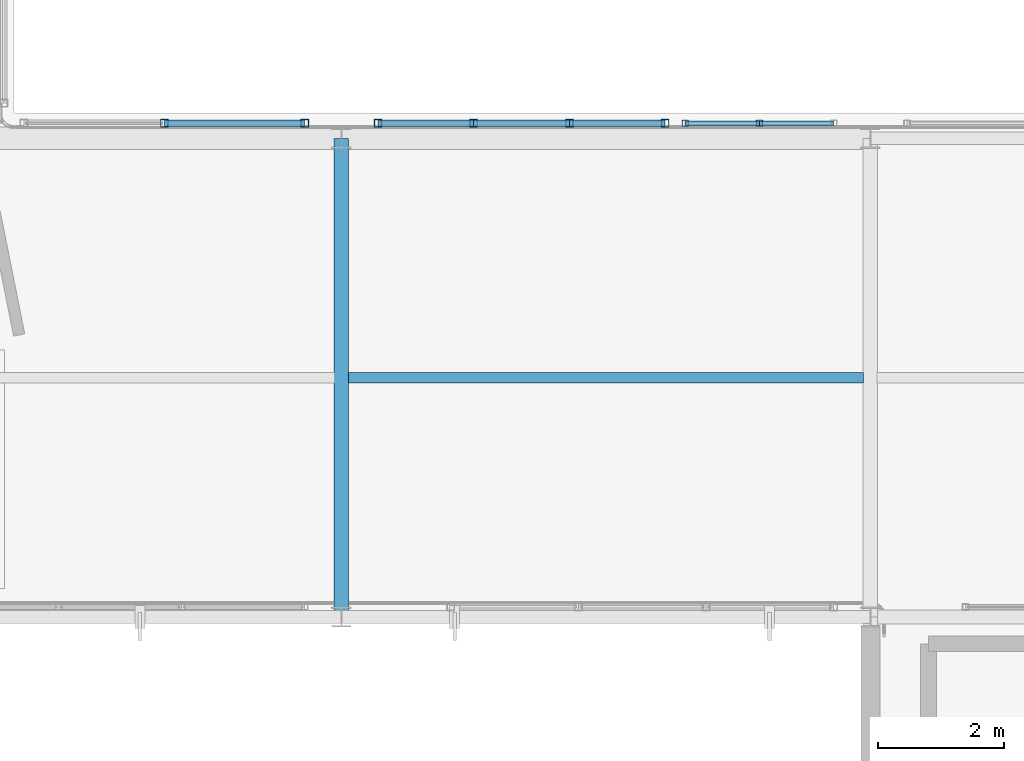
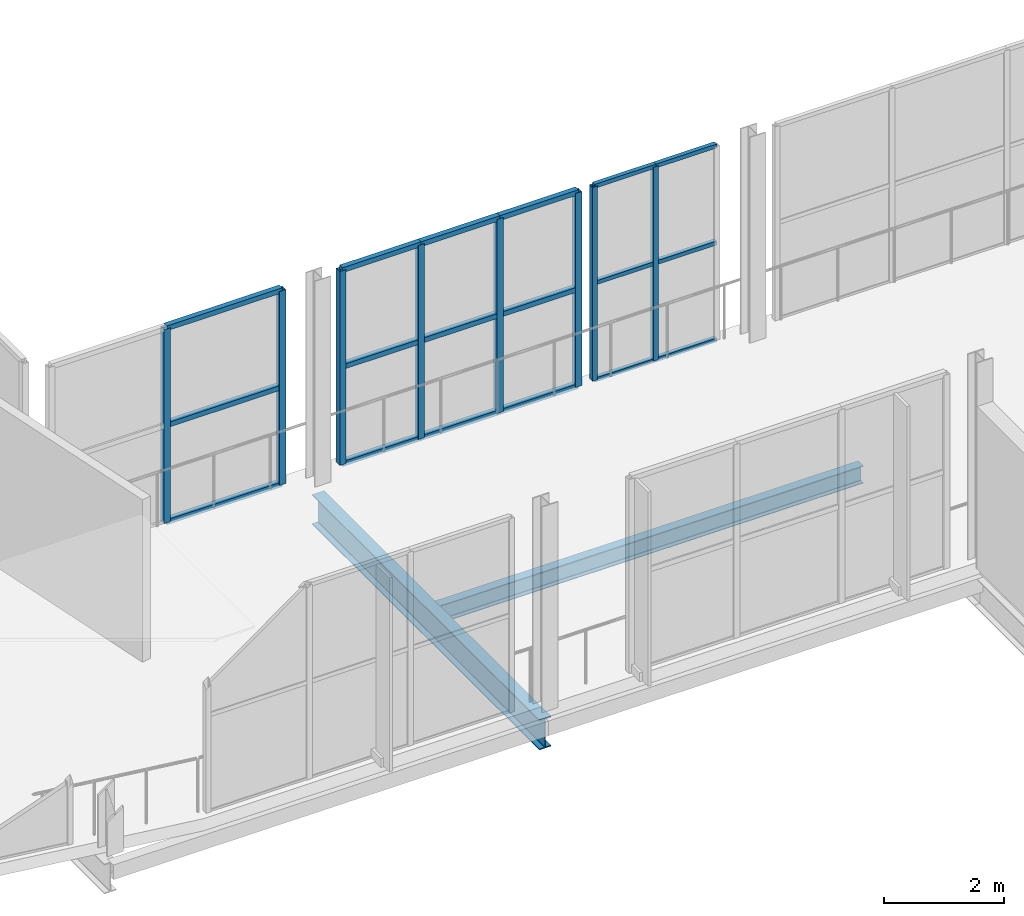
# One storey, part 20 of 151: 26 members, 2 beams, 3 elements without a shape of their own.
"""IFC4 building model written with IfcOpenShell, lengths in metres."""

from ifc_helpers import new_model, si_unit, direction, frame, origin, origin_2d, place, context, subcontext, project, spatial, hollow_rectangle, i_section, extrude, material, material_profile, profile_set, type_object, element, aggregate, save


model = new_model("IFC4")

# Units and contexts
model_context = context("Model", 3, precision=1e-05, world=origin(), true_north=direction((0.0, 1.0)))
body_context = subcontext(model_context, "Body", "Model", "MODEL_VIEW")
ifc_project = project(units=[si_unit("LENGTHUNIT", "METRE"), si_unit("AREAUNIT", "SQUARE_METRE"), si_unit("VOLUMEUNIT", "CUBIC_METRE"), si_unit("PLANEANGLEUNIT", "RADIAN"), si_unit("MASSUNIT", "GRAM", prefix="KILO")], contexts=[model_context])

# Site, building, storey
site_placement = place(None, origin())
site = spatial("IfcSite", under=ifc_project, at=site_placement, CompositionType="ELEMENT")
building_placement = place(site_placement, origin())
building = spatial("IfcBuilding", under=site, at=building_placement, Name="Zuvorla Pavilion Media Centre", CompositionType="ELEMENT")
storey_placement = place(building_placement, frame((0.0, 0.0, 13.800048828125)))
storey = spatial("IfcBuildingStorey", under=building, at=storey_placement, Name="L03", CompositionType="ELEMENT", Elevation=13.800048828125)

# Beams
ifc_material_1 = material(Name="Steel S355", Category="steel")
ifc_material_profile_1 = material_profile(ifc_material_1, i_section(OverallWidth=0.172119140625, OverallDepth=0.35791015625, WebThickness=0.008056640625, FlangeThickness=0.012939453125, FilletRadius=0.01025390625, at=origin_2d()), Name="UB 356x171x57")
ifc_profile_set_1 = profile_set([ifc_material_profile_1], Name="Steel S355")
beam_type_1 = type_object("IfcBeamType", Name="BM-UB356", PredefinedType="JOIST", material=ifc_profile_set_1)
beam_1_placement = place(storey_placement, frame((33.3095703125, 47.800048828125, -0.43701171875), z_axis=(1.0, 0.0, 0.0), x_axis=(0.0, 1.0, 0.0)))
element("IfcBeam", 1, at=beam_1_placement, inside=storey, type_object=beam_type_1, Name="L03 joist J03 1238", PredefinedType="JOIST", context=body_context, shape_type="SweptSolid", body=[
    extrude(i_section(OverallWidth=0.172119140625, OverallDepth=0.35791015625, WebThickness=0.008056640625, FlangeThickness=0.012939453125, FilletRadius=0.01025390625, at=origin_2d()), origin(), (0.0, 0.0, 1.0), 8.180908203125),
])
ifc_material_profile_2 = material_profile(ifc_material_1, i_section(OverallWidth=0.22900390625, OverallDepth=0.6123046875, WebThickness=0.011962890625, FlangeThickness=0.01953125, FilletRadius=0.0126953125, at=origin_2d()), Name="UB 610x229x125")
ifc_profile_set_2 = profile_set([ifc_material_profile_2], Name="Steel S355")
beam_type_2 = type_object("IfcBeamType", Name="BM-UB610", PredefinedType="BEAM", material=ifc_profile_set_2)
beam_2_placement = place(storey_placement, frame((33.199951171875, 44.0, -0.564208984375), z_axis=(0.0, 1.0, 0.0), x_axis=(-1.0, 0.0, 0.0)))
element("IfcBeam", 2, at=beam_2_placement, inside=storey, type_object=beam_type_2, Name="L03 beam B07 1157", PredefinedType="BEAM", context=body_context, shape_type="SweptSolid", body=[
    extrude(i_section(OverallWidth=0.22900390625, OverallDepth=0.6123046875, WebThickness=0.011962890625, FlangeThickness=0.01953125, FilletRadius=0.0126953125, at=origin_2d()), origin(), (0.0, 0.0, 1.0), 7.60009765625),
])

# Curtain wall, members
ifc_material_2 = material(Name="Unitised anodised aluminium and solar glass curtain wall", Category="aluminium")
curtain_wall_type_1 = type_object("IfcCurtainWallType", Name="CW-SYS-31", PredefinedType="USERDEFINED", material=ifc_material_2)
curtain_wall_1_placement = place(storey_placement, origin())
curtain_wall_1 = element("IfcCurtainWall", 3, at=curtain_wall_1_placement, inside=storey, type_object=curtain_wall_type_1, Name="L03 curtain wall CW31 151", ObjectType="CURTAIN WALL", PredefinedType="USERDEFINED")
ifc_material_3 = material(Name="Anodised aluminium 6063-T6", Category="aluminium")
ifc_material_profile_3 = material_profile(ifc_material_3, hollow_rectangle(XDim=0.10009765625, YDim=0.10009765625, WallThickness=0.00439453125, at=origin_2d()), Name="ALU MULL 100x100")
ifc_profile_set_3 = profile_set([ifc_material_profile_3], Name="Anodised aluminium 6063-T6")
member_type_1 = type_object("IfcMemberType", Name="CW-MULL-100", PredefinedType="MULLION", material=ifc_profile_set_3)
member_1_placement = place(storey_placement, frame((38.659912109375, 51.840087890625, 0.0), z_axis=(0.0, 0.0, 1.0), x_axis=(1.0, 0.0, 0.0)))
member_1 = element("IfcMember", 4, at=member_1_placement, type_object=member_type_1, Name="CW31 mullion 1", PredefinedType="MULLION", context=body_context, shape_type="SweptSolid", body=[
    extrude(hollow_rectangle(XDim=0.10009765625, YDim=0.10009765625, WallThickness=0.00439453125, at=origin_2d()), origin(), (0.0, 0.0, 1.0), 3.9599609375),
])
member_2_placement = place(storey_placement, frame((39.839111328125, 51.840087890625, 0.0), z_axis=(0.0, 0.0, 1.0), x_axis=(1.0, 0.0, 0.0)))
member_2 = element("IfcMember", 5, at=member_2_placement, type_object=member_type_1, Name="CW31 mullion 2", PredefinedType="MULLION", context=body_context, shape_type="SweptSolid", body=[
    extrude(hollow_rectangle(XDim=0.10009765625, YDim=0.10009765625, WallThickness=0.00439453125, at=origin_2d()), origin(), (0.0, 0.0, 1.0), 3.9599609375),
])

curtain_wall_type_2 = type_object("IfcCurtainWallType", Name="CW-SYS-28", PredefinedType="USERDEFINED", material=ifc_material_2)
curtain_wall_2_placement = place(storey_placement, origin())
curtain_wall_2 = element("IfcCurtainWall", 6, at=curtain_wall_2_placement, inside=storey, type_object=curtain_wall_type_2, Name="L03 curtain wall CW28 148", ObjectType="CURTAIN WALL", PredefinedType="USERDEFINED")
ifc_material_profile_4 = material_profile(ifc_material_3, hollow_rectangle(XDim=0.1201171875, YDim=0.1201171875, WallThickness=0.0048828125, at=origin_2d()), Name="ALU MULL 120x120")
ifc_profile_set_4 = profile_set([ifc_material_profile_4], Name="Anodised aluminium 6063-T6")
member_type_2 = type_object("IfcMemberType", Name="CW-MULL-120", PredefinedType="MULLION", material=ifc_profile_set_4)
member_3_placement = place(storey_placement, frame((30.38916015625, 51.840087890625, 0.0), z_axis=(0.0, 0.0, 1.0), x_axis=(1.0, 0.0, 0.0)))
member_3 = element("IfcMember", 7, at=member_3_placement, type_object=member_type_2, Name="CW28 mullion 2", PredefinedType="MULLION", context=body_context, shape_type="SweptSolid", body=[
    extrude(hollow_rectangle(XDim=0.1201171875, YDim=0.1201171875, WallThickness=0.0048828125, at=origin_2d()), origin(), (0.0, 0.0, 1.0), 3.9599609375),
])
member_4_placement = place(storey_placement, frame((32.6181640625, 51.840087890625, 0.0), z_axis=(0.0, 0.0, 1.0), x_axis=(1.0, 0.0, 0.0)))
member_4 = element("IfcMember", 8, at=member_4_placement, type_object=member_type_2, Name="CW28 mullion 3", PredefinedType="MULLION", context=body_context, shape_type="SweptSolid", body=[
    extrude(hollow_rectangle(XDim=0.1201171875, YDim=0.1201171875, WallThickness=0.0048828125, at=origin_2d()), origin(), (0.0, 0.0, 1.0), 3.9599609375),
])

curtain_wall_type_3 = type_object("IfcCurtainWallType", Name="CW-SYS-29", PredefinedType="USERDEFINED", material=ifc_material_2)
curtain_wall_3_placement = place(storey_placement, origin())
curtain_wall_3 = element("IfcCurtainWall", 9, at=curtain_wall_3_placement, inside=storey, type_object=curtain_wall_type_3, Name="L03 curtain wall CW29 149", ObjectType="CURTAIN WALL", PredefinedType="USERDEFINED")
member_5_placement = place(storey_placement, frame((33.781982421875, 51.840087890625, 0.0), z_axis=(0.0, 0.0, 1.0), x_axis=(1.0, 0.0, 0.0)))
member_5 = element("IfcMember", 10, at=member_5_placement, type_object=member_type_2, Name="CW29 mullion 1", PredefinedType="MULLION", context=body_context, shape_type="SweptSolid", body=[
    extrude(hollow_rectangle(XDim=0.1201171875, YDim=0.1201171875, WallThickness=0.0048828125, at=origin_2d()), origin(), (0.0, 0.0, 1.0), 3.9599609375),
])
member_6_placement = place(storey_placement, frame((35.30126953125, 51.840087890625, 0.0), z_axis=(0.0, 0.0, 1.0), x_axis=(1.0, 0.0, 0.0)))
member_6 = element("IfcMember", 11, at=member_6_placement, type_object=member_type_2, Name="CW29 mullion 2", PredefinedType="MULLION", context=body_context, shape_type="SweptSolid", body=[
    extrude(hollow_rectangle(XDim=0.1201171875, YDim=0.1201171875, WallThickness=0.0048828125, at=origin_2d()), origin(), (0.0, 0.0, 1.0), 3.9599609375),
])
member_7_placement = place(storey_placement, frame((36.820556640625, 51.840087890625, 0.0), z_axis=(0.0, 0.0, 1.0), x_axis=(1.0, 0.0, 0.0)))
member_7 = element("IfcMember", 12, at=member_7_placement, type_object=member_type_2, Name="CW29 mullion 3", PredefinedType="MULLION", context=body_context, shape_type="SweptSolid", body=[
    extrude(hollow_rectangle(XDim=0.1201171875, YDim=0.1201171875, WallThickness=0.0048828125, at=origin_2d()), origin(), (0.0, 0.0, 1.0), 3.9599609375),
])
member_8_placement = place(storey_placement, frame((38.340087890625, 51.840087890625, 0.0), z_axis=(0.0, 0.0, 1.0), x_axis=(1.0, 0.0, 0.0)))
member_8 = element("IfcMember", 13, at=member_8_placement, type_object=member_type_2, Name="CW29 mullion 4", PredefinedType="MULLION", context=body_context, shape_type="SweptSolid", body=[
    extrude(hollow_rectangle(XDim=0.1201171875, YDim=0.1201171875, WallThickness=0.0048828125, at=origin_2d()), origin(), (0.0, 0.0, 1.0), 3.9599609375),
])

# Member
ifc_material_profile_5 = material_profile(ifc_material_3, hollow_rectangle(XDim=0.10009765625, YDim=0.10009765625, WallThickness=0.00439453125, at=origin_2d()), Name="ALU TRAN 100x100")
ifc_profile_set_5 = profile_set([ifc_material_profile_5], Name="Anodised aluminium 6063-T6")
member_type_3 = type_object("IfcMemberType", Name="CW-TRAN-100", PredefinedType="USERDEFINED", material=ifc_profile_set_5)
member_9_placement = place(storey_placement, frame((30.38916015625, 51.840087890625, 0.0), z_axis=(1.0, 0.0, 0.0), x_axis=(0.0, 1.0, 0.0)))
member_9 = element("IfcMember", 14, at=member_9_placement, type_object=member_type_3, Name="CW28 transom 2.1", ObjectType="TRANSOM", PredefinedType="USERDEFINED", context=body_context, shape_type="SweptSolid", body=[
    extrude(hollow_rectangle(XDim=0.10009765625, YDim=0.10009765625, WallThickness=0.00439453125, at=origin_2d()), origin(), (0.0, 0.0, 1.0), 2.22900390625),
])

member_10_placement = place(storey_placement, frame((30.38916015625, 51.840087890625, 1.97998046875), z_axis=(1.0, 0.0, 0.0), x_axis=(0.0, 1.0, 0.0)))
member_10 = element("IfcMember", 15, at=member_10_placement, type_object=member_type_3, Name="CW28 transom 2.2", ObjectType="TRANSOM", PredefinedType="USERDEFINED", context=body_context, shape_type="SweptSolid", body=[
    extrude(hollow_rectangle(XDim=0.10009765625, YDim=0.10009765625, WallThickness=0.00439453125, at=origin_2d()), origin(), (0.0, 0.0, 1.0), 2.22900390625),
])

member_11_placement = place(storey_placement, frame((30.38916015625, 51.840087890625, 3.9599609375), z_axis=(1.0, 0.0, 0.0), x_axis=(0.0, 1.0, 0.0)))
member_11 = element("IfcMember", 16, at=member_11_placement, type_object=member_type_3, Name="CW28 transom 2.3", ObjectType="TRANSOM", PredefinedType="USERDEFINED", context=body_context, shape_type="SweptSolid", body=[
    extrude(hollow_rectangle(XDim=0.10009765625, YDim=0.10009765625, WallThickness=0.00439453125, at=origin_2d()), origin(), (0.0, 0.0, 1.0), 2.22900390625),
])

aggregate(curtain_wall_2, [member_3, member_4, member_9, member_10, member_11])

member_12_placement = place(storey_placement, frame((33.781982421875, 51.840087890625, 0.0), z_axis=(1.0, 0.0, 0.0), x_axis=(0.0, 1.0, 0.0)))
member_12 = element("IfcMember", 17, at=member_12_placement, type_object=member_type_3, Name="CW29 transom 1.1", ObjectType="TRANSOM", PredefinedType="USERDEFINED", context=body_context, shape_type="SweptSolid", body=[
    extrude(hollow_rectangle(XDim=0.10009765625, YDim=0.10009765625, WallThickness=0.00439453125, at=origin_2d()), origin(), (0.0, 0.0, 1.0), 1.519287109375),
])

member_13_placement = place(storey_placement, frame((33.781982421875, 51.840087890625, 1.97998046875), z_axis=(1.0, 0.0, 0.0), x_axis=(0.0, 1.0, 0.0)))
member_13 = element("IfcMember", 18, at=member_13_placement, type_object=member_type_3, Name="CW29 transom 1.2", ObjectType="TRANSOM", PredefinedType="USERDEFINED", context=body_context, shape_type="SweptSolid", body=[
    extrude(hollow_rectangle(XDim=0.10009765625, YDim=0.10009765625, WallThickness=0.00439453125, at=origin_2d()), origin(), (0.0, 0.0, 1.0), 1.519287109375),
])

member_14_placement = place(storey_placement, frame((33.781982421875, 51.840087890625, 3.9599609375), z_axis=(1.0, 0.0, 0.0), x_axis=(0.0, 1.0, 0.0)))
member_14 = element("IfcMember", 19, at=member_14_placement, type_object=member_type_3, Name="CW29 transom 1.3", ObjectType="TRANSOM", PredefinedType="USERDEFINED", context=body_context, shape_type="SweptSolid", body=[
    extrude(hollow_rectangle(XDim=0.10009765625, YDim=0.10009765625, WallThickness=0.00439453125, at=origin_2d()), origin(), (0.0, 0.0, 1.0), 1.519287109375),
])

member_15_placement = place(storey_placement, frame((35.30126953125, 51.840087890625, 0.0), z_axis=(1.0, 0.0, 0.0), x_axis=(0.0, 1.0, 0.0)))
member_15 = element("IfcMember", 20, at=member_15_placement, type_object=member_type_3, Name="CW29 transom 2.1", ObjectType="TRANSOM", PredefinedType="USERDEFINED", context=body_context, shape_type="SweptSolid", body=[
    extrude(hollow_rectangle(XDim=0.10009765625, YDim=0.10009765625, WallThickness=0.00439453125, at=origin_2d()), origin(), (0.0, 0.0, 1.0), 1.519287109375),
])

member_16_placement = place(storey_placement, frame((35.30126953125, 51.840087890625, 1.97998046875), z_axis=(1.0, 0.0, 0.0), x_axis=(0.0, 1.0, 0.0)))
member_16 = element("IfcMember", 21, at=member_16_placement, type_object=member_type_3, Name="CW29 transom 2.2", ObjectType="TRANSOM", PredefinedType="USERDEFINED", context=body_context, shape_type="SweptSolid", body=[
    extrude(hollow_rectangle(XDim=0.10009765625, YDim=0.10009765625, WallThickness=0.00439453125, at=origin_2d()), origin(), (0.0, 0.0, 1.0), 1.519287109375),
])

member_17_placement = place(storey_placement, frame((35.30126953125, 51.840087890625, 3.9599609375), z_axis=(1.0, 0.0, 0.0), x_axis=(0.0, 1.0, 0.0)))
member_17 = element("IfcMember", 22, at=member_17_placement, type_object=member_type_3, Name="CW29 transom 2.3", ObjectType="TRANSOM", PredefinedType="USERDEFINED", context=body_context, shape_type="SweptSolid", body=[
    extrude(hollow_rectangle(XDim=0.10009765625, YDim=0.10009765625, WallThickness=0.00439453125, at=origin_2d()), origin(), (0.0, 0.0, 1.0), 1.519287109375),
])

member_18_placement = place(storey_placement, frame((36.820556640625, 51.840087890625, 0.0), z_axis=(1.0, 0.0, 0.0), x_axis=(0.0, 1.0, 0.0)))
member_18 = element("IfcMember", 23, at=member_18_placement, type_object=member_type_3, Name="CW29 transom 3.1", ObjectType="TRANSOM", PredefinedType="USERDEFINED", context=body_context, shape_type="SweptSolid", body=[
    extrude(hollow_rectangle(XDim=0.10009765625, YDim=0.10009765625, WallThickness=0.00439453125, at=origin_2d()), origin(), (0.0, 0.0, 1.0), 1.51953125),
])

member_19_placement = place(storey_placement, frame((36.820556640625, 51.840087890625, 1.97998046875), z_axis=(1.0, 0.0, 0.0), x_axis=(0.0, 1.0, 0.0)))
member_19 = element("IfcMember", 24, at=member_19_placement, type_object=member_type_3, Name="CW29 transom 3.2", ObjectType="TRANSOM", PredefinedType="USERDEFINED", context=body_context, shape_type="SweptSolid", body=[
    extrude(hollow_rectangle(XDim=0.10009765625, YDim=0.10009765625, WallThickness=0.00439453125, at=origin_2d()), origin(), (0.0, 0.0, 1.0), 1.51953125),
])

member_20_placement = place(storey_placement, frame((36.820556640625, 51.840087890625, 3.9599609375), z_axis=(1.0, 0.0, 0.0), x_axis=(0.0, 1.0, 0.0)))
member_20 = element("IfcMember", 25, at=member_20_placement, type_object=member_type_3, Name="CW29 transom 3.3", ObjectType="TRANSOM", PredefinedType="USERDEFINED", context=body_context, shape_type="SweptSolid", body=[
    extrude(hollow_rectangle(XDim=0.10009765625, YDim=0.10009765625, WallThickness=0.00439453125, at=origin_2d()), origin(), (0.0, 0.0, 1.0), 1.51953125),
])

aggregate(curtain_wall_3, [member_5, member_6, member_7, member_8, member_12, member_13, member_14, member_15, member_16, member_17, member_18, member_19, member_20])

ifc_material_profile_6 = material_profile(ifc_material_3, hollow_rectangle(XDim=0.080078125, YDim=0.080078125, WallThickness=0.00390625, at=origin_2d()), Name="ALU TRAN 80x80")
ifc_profile_set_6 = profile_set([ifc_material_profile_6], Name="Anodised aluminium 6063-T6")
member_type_4 = type_object("IfcMemberType", Name="CW-TRAN-80", PredefinedType="USERDEFINED", material=ifc_profile_set_6)
member_21_placement = place(storey_placement, frame((38.659912109375, 51.840087890625, 0.0), z_axis=(1.0, 0.0, 0.0), x_axis=(0.0, 1.0, 0.0)))
member_21 = element("IfcMember", 26, at=member_21_placement, type_object=member_type_4, Name="CW31 transom 1.1", ObjectType="TRANSOM", PredefinedType="USERDEFINED", context=body_context, shape_type="SweptSolid", body=[
    extrude(hollow_rectangle(XDim=0.080078125, YDim=0.080078125, WallThickness=0.00390625, at=origin_2d()), origin(), (0.0, 0.0, 1.0), 1.17919921875),
])

member_22_placement = place(storey_placement, frame((38.659912109375, 51.840087890625, 1.97998046875), z_axis=(1.0, 0.0, 0.0), x_axis=(0.0, 1.0, 0.0)))
member_22 = element("IfcMember", 27, at=member_22_placement, type_object=member_type_4, Name="CW31 transom 1.2", ObjectType="TRANSOM", PredefinedType="USERDEFINED", context=body_context, shape_type="SweptSolid", body=[
    extrude(hollow_rectangle(XDim=0.080078125, YDim=0.080078125, WallThickness=0.00390625, at=origin_2d()), origin(), (0.0, 0.0, 1.0), 1.17919921875),
])

member_23_placement = place(storey_placement, frame((38.659912109375, 51.840087890625, 3.9599609375), z_axis=(1.0, 0.0, 0.0), x_axis=(0.0, 1.0, 0.0)))
member_23 = element("IfcMember", 28, at=member_23_placement, type_object=member_type_4, Name="CW31 transom 1.3", ObjectType="TRANSOM", PredefinedType="USERDEFINED", context=body_context, shape_type="SweptSolid", body=[
    extrude(hollow_rectangle(XDim=0.080078125, YDim=0.080078125, WallThickness=0.00390625, at=origin_2d()), origin(), (0.0, 0.0, 1.0), 1.17919921875),
])

member_24_placement = place(storey_placement, frame((39.839111328125, 51.840087890625, 0.0), z_axis=(1.0, 0.0, 0.0), x_axis=(0.0, 1.0, 0.0)))
member_24 = element("IfcMember", 29, at=member_24_placement, type_object=member_type_4, Name="CW31 transom 2.1", ObjectType="TRANSOM", PredefinedType="USERDEFINED", context=body_context, shape_type="SweptSolid", body=[
    extrude(hollow_rectangle(XDim=0.080078125, YDim=0.080078125, WallThickness=0.00390625, at=origin_2d()), origin(), (0.0, 0.0, 1.0), 1.178955078125),
])

member_25_placement = place(storey_placement, frame((39.839111328125, 51.840087890625, 1.97998046875), z_axis=(1.0, 0.0, 0.0), x_axis=(0.0, 1.0, 0.0)))
member_25 = element("IfcMember", 30, at=member_25_placement, type_object=member_type_4, Name="CW31 transom 2.2", ObjectType="TRANSOM", PredefinedType="USERDEFINED", context=body_context, shape_type="SweptSolid", body=[
    extrude(hollow_rectangle(XDim=0.080078125, YDim=0.080078125, WallThickness=0.00390625, at=origin_2d()), origin(), (0.0, 0.0, 1.0), 1.178955078125),
])

member_26_placement = place(storey_placement, frame((39.839111328125, 51.840087890625, 3.9599609375), z_axis=(1.0, 0.0, 0.0), x_axis=(0.0, 1.0, 0.0)))
member_26 = element("IfcMember", 31, at=member_26_placement, type_object=member_type_4, Name="CW31 transom 2.3", ObjectType="TRANSOM", PredefinedType="USERDEFINED", context=body_context, shape_type="SweptSolid", body=[
    extrude(hollow_rectangle(XDim=0.080078125, YDim=0.080078125, WallThickness=0.00390625, at=origin_2d()), origin(), (0.0, 0.0, 1.0), 1.178955078125),
])

aggregate(curtain_wall_1, [member_1, member_2, member_21, member_22, member_23, member_24, member_25, member_26])

save(model, "model.ifc")
